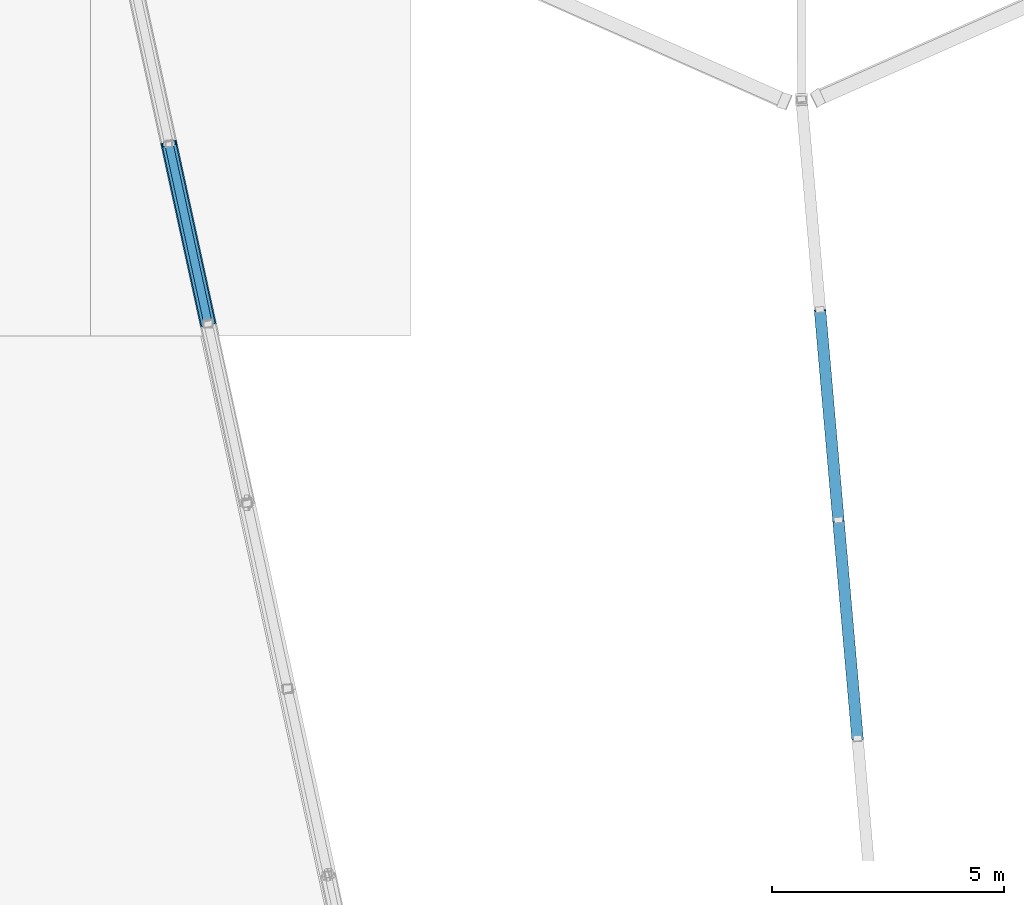
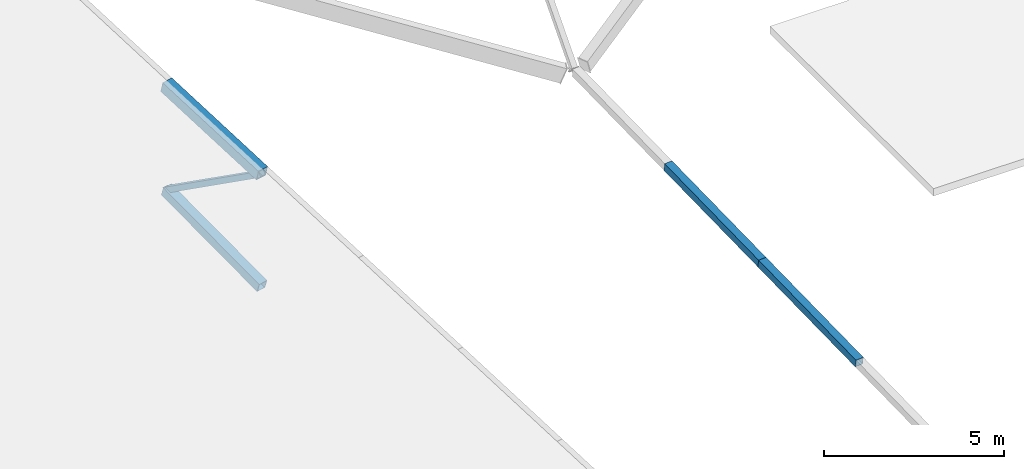
# One storey, part 81 of 188: 5 members.
"""IFC4 building model written with IfcOpenShell, lengths in metres."""

from ifc_helpers import new_model, si_unit, direction, frame, origin, origin_2d, place, context, subcontext, project, spatial, hollow_rectangle, extrude, material, material_profile, profile_set, type_object, element, save


model = new_model("IFC4")

# Units and contexts
model_context = context("Model", 3, precision=1e-05, world=origin(), true_north=direction((0.0, 1.0)))
body_context = subcontext(model_context, "Body", "Model", "MODEL_VIEW")
ifc_project = project(units=[si_unit("LENGTHUNIT", "METRE"), si_unit("AREAUNIT", "SQUARE_METRE"), si_unit("VOLUMEUNIT", "CUBIC_METRE"), si_unit("PLANEANGLEUNIT", "RADIAN"), si_unit("MASSUNIT", "GRAM", prefix="KILO")], contexts=[model_context])

# Site, building, storey
site_placement = place(None, origin())
site = spatial("IfcSite", under=ifc_project, at=site_placement, CompositionType="ELEMENT")
building_placement = place(site_placement, origin())
building = spatial("IfcBuilding", under=site, at=building_placement, Name="Meseta Stadium", CompositionType="ELEMENT")
storey_placement = place(building_placement, frame((0.0, 0.0, 30.0)))
storey = spatial("IfcBuildingStorey", under=building, at=storey_placement, Name="ROOF", CompositionType="ELEMENT", Elevation=30.0)

# Members
ifc_material_1 = material(Name="Steel S355", Category="steel")
ifc_material_profile_1 = material_profile(ifc_material_1, hollow_rectangle(XDim=0.179931640625, YDim=0.179931640625, WallThickness=0.00634765625, at=origin_2d()), Name="SHS 180x180x6.3")
ifc_profile_set_1 = profile_set([ifc_material_profile_1], Name="Steel S355")
member_type_1 = type_object("IfcMemberType", Name="SHS 180x180x6.3 diagonal", PredefinedType="BRACE", material=ifc_profile_set_1)
member_1_placement = place(storey_placement, frame((-20.470703125, 93.77783203125, 7.606201171875), z_axis=(-0.177926232495, 0.817646526853, -0.547536677233), x_axis=(-0.977132437588, -0.212631604928, 0.0)))
element("IfcMember", 1, at=member_1_placement, inside=storey, type_object=member_type_1, Name="ROOF TRUSS RT-20 diagonal", PredefinedType="BRACE", context=body_context, shape_type="SweptSolid", body=[
    extrude(hollow_rectangle(XDim=0.179931640625, YDim=0.179931640625, WallThickness=0.00634765625, at=origin_2d()), origin(), (0.0, 0.0, 1.0), 4.738037109375),
])
ifc_material_2 = material(Name="Steel S355", Category="steel")
ifc_material_profile_2 = material_profile(ifc_material_2, hollow_rectangle(XDim=0.25, YDim=0.25, WallThickness=0.010009765625, at=origin_2d()), Name="SHS 250x250x10")
ifc_profile_set_2 = profile_set([ifc_material_profile_2], Name="Steel S355")
member_type_2 = type_object("IfcMemberType", Name="SHS 250x250x10 top chord", PredefinedType="CHORD", material=ifc_profile_set_2)
member_2_placement = place(storey_placement, frame((-6.458251953125, 84.810546875, 1.72412109375), z_axis=(-0.086403995476, 0.985772447789, 0.144177081208), x_axis=(-0.996180639476, -0.087316284462, 0.0)))
element("IfcMember", 2, at=member_2_placement, inside=storey, type_object=member_type_2, Name="ROOF TRUSS RT-19 top chord", PredefinedType="CHORD", context=body_context, shape_type="SweptSolid", body=[
    extrude(hollow_rectangle(XDim=0.25, YDim=0.25, WallThickness=0.010009765625, at=origin_2d()), origin(), (0.0, 0.0, 1.0), 4.775146484375),
])
member_3_placement = place(storey_placement, frame((-6.870849609375, 89.517822265625, 2.41259765625), z_axis=(-0.08638797087, 0.985776845507, 0.144156613967), x_axis=(-0.996182081801, -0.087299827599, 0.0)))
element("IfcMember", 3, at=member_3_placement, inside=storey, type_object=member_type_2, Name="ROOF TRUSS RT-19 top chord", PredefinedType="CHORD", context=body_context, shape_type="SweptSolid", body=[
    extrude(hollow_rectangle(XDim=0.25, YDim=0.25, WallThickness=0.010009765625, at=origin_2d()), origin(), (0.0, 0.0, 1.0), 4.6064453125),
])
ifc_material_3 = material(Name="Steel S355", Category="steel")
ifc_material_profile_3 = material_profile(ifc_material_3, hollow_rectangle(XDim=0.300048828125, YDim=0.300048828125, WallThickness=0.010009765625, at=origin_2d()), Name="SHS 300x300x10")
ifc_profile_set_3 = profile_set([ifc_material_profile_3], Name="Steel S355")
member_type_3 = type_object("IfcMemberType", Name="SHS 300x300x10 bottom chord", PredefinedType="CHORD", material=ifc_profile_set_3)
member_4_placement = place(storey_placement, frame((-20.470703125, 93.77783203125, 3.77734375), z_axis=(-0.203015854858, 0.932943986357, 0.297321511155), x_axis=(-0.977132437588, -0.212631604928, 0.0)))
element("IfcMember", 4, at=member_4_placement, inside=storey, type_object=member_type_3, Name="ROOF TRUSS RT-20 bottom chord", PredefinedType="CHORD", context=body_context, shape_type="SweptSolid", body=[
    extrude(hollow_rectangle(XDim=0.300048828125, YDim=0.300048828125, WallThickness=0.010009765625, at=origin_2d()), origin(), (0.0, 0.0, 1.0), 4.152587890625),
])
ifc_material_4 = material(Name="Steel S355", Category="steel")
ifc_material_profile_4 = material_profile(ifc_material_4, hollow_rectangle(XDim=0.35009765625, YDim=0.35009765625, WallThickness=0.010009765625, at=origin_2d()), Name="SHS 350x350x10")
ifc_profile_set_4 = profile_set([ifc_material_profile_4], Name="Steel S355")
member_type_4 = type_object("IfcMemberType", Name="SHS 350x350x10 top chord", PredefinedType="CHORD", material=ifc_profile_set_4)
member_5_placement = place(storey_placement, frame((-20.470703125, 93.77783203125, 7.606201171875), z_axis=(-0.206677517201, 0.949770878352, 0.234988685935), x_axis=(-0.977132437588, -0.212631604928, 0.0)))
element("IfcMember", 5, at=member_5_placement, inside=storey, type_object=member_type_4, Name="ROOF TRUSS RT-20 top chord", PredefinedType="CHORD", context=body_context, shape_type="SweptSolid", body=[
    extrude(hollow_rectangle(XDim=0.35009765625, YDim=0.35009765625, WallThickness=0.010009765625, at=origin_2d()), origin(), (0.0, 0.0, 1.0), 4.078857421875),
])

save(model, "model.ifc")
